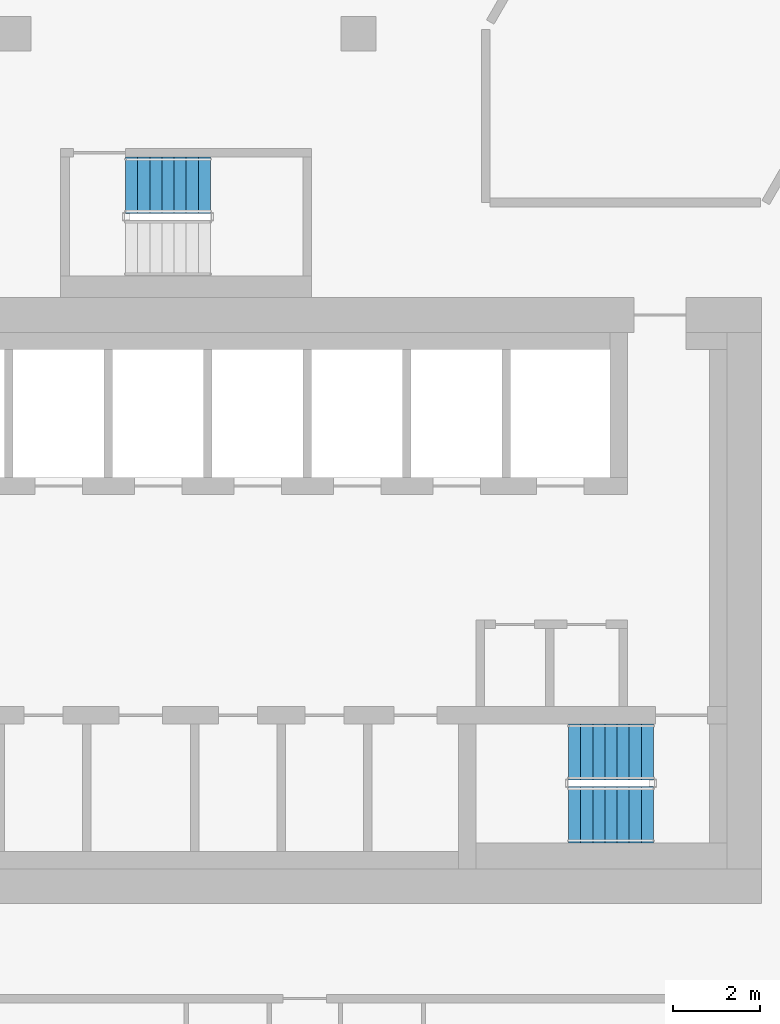
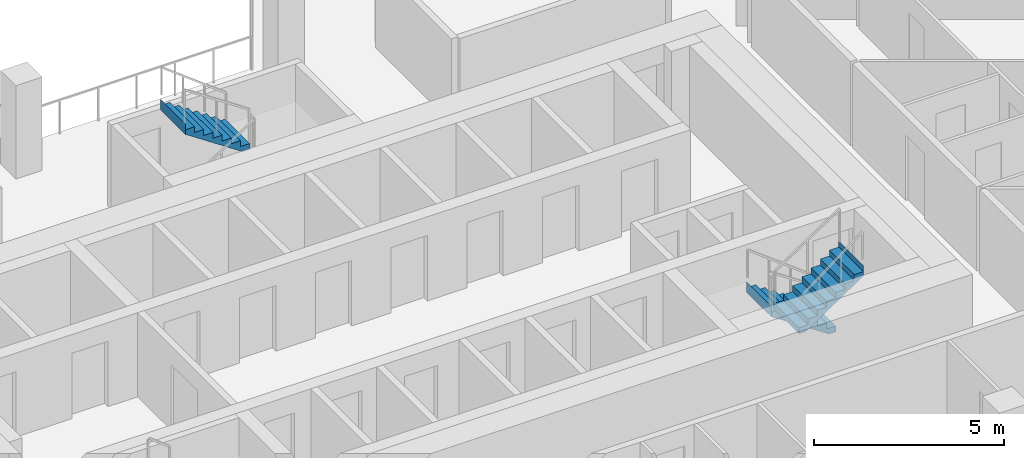
# One storey, part 11 of 15: 3 stair flights, 2 elements without a shape of their own.
"""IFC4 building model written with IfcOpenShell, lengths in metres."""

from ifc_helpers import new_model, si_unit, direction, frame, origin, place, context, subcontext, project, spatial, triangles, material, type_object, element, aggregate, save


model = new_model("IFC4")

# Units and contexts
model_context = context("Model", 3, precision=1e-05, world=origin(), true_north=direction((0.0, 1.0)))
body_context = subcontext(model_context, "Body", "Model", "MODEL_VIEW")
ifc_project = project(units=[si_unit("LENGTHUNIT", "METRE"), si_unit("AREAUNIT", "SQUARE_METRE"), si_unit("VOLUMEUNIT", "CUBIC_METRE"), si_unit("PLANEANGLEUNIT", "RADIAN"), si_unit("MASSUNIT", "GRAM", prefix="KILO")], contexts=[model_context])

# Site, building, storey
site_placement = place(None, origin())
site = spatial("IfcSite", under=ifc_project, at=site_placement, CompositionType="ELEMENT")
building_placement = place(site_placement, origin())
building = spatial("IfcBuilding", under=site, at=building_placement, Name="Beryl Residences", CompositionType="ELEMENT")
storey_placement = place(building_placement, frame((0.0, 0.0, 141.60009765625)))
storey = spatial("IfcBuildingStorey", under=building, at=storey_placement, Name="L43", CompositionType="ELEMENT", Elevation=141.60009765625)

# Stair, stair flights
ifc_material_1 = material(Name="Concrete C40/50", Category="concrete")
stair_type = type_object("IfcStairType", Name="ST1 protected exit stair, half-turn, 1300 mm flights", PredefinedType="HALF_TURN_STAIR", material=ifc_material_1)
stair_1_placement = place(storey_placement, origin())
stair_1 = element("IfcStair", 1, at=stair_1_placement, inside=storey, type_object=stair_type, Name="L43 PROTECTED EXIT STAIR ST-3", PredefinedType="HALF_TURN_STAIR")
ifc_material_2 = material(Name="Concrete C40/50", Category="concrete")
stair_flight_type = type_object("IfcStairFlightType", Name="SF1 stair flight 1300 mm", PredefinedType="STRAIGHT", material=ifc_material_2)
stair_flight_1_placement = place(storey_placement, frame((10.800048828125, -15.5, 0.0), z_axis=(0.0, 0.0, 1.0), x_axis=(-1.0, 0.0, 0.0)))
stair_flight_1 = element("IfcStairFlight", 2, at=stair_flight_1_placement, type_object=stair_flight_type, Name="ST-3 flight 1", NumberOfRisers=8, NumberOfTreads=7, PredefinedType="STRAIGHT", RiserHeight=0.1875, TreadLength=0.28, context=body_context, shape_type="Tessellation", body=[
    triangles([(0.0, -0.64990234375, 0.0), (0.0, -0.324951171875, 0.0), (0.0, 0.0, 0.0), (0.0, 0.324951171875, 0.0), (0.0, 0.64990234375, 0.0), (0.0, -0.64990234375, 0.1875), (0.0, -0.324951171875, 0.1875), (0.0, 0.0, 0.1875), (0.0, 0.324951171875, 0.1875), (0.0, 0.64990234375, 0.1875), (0.280029296875, -0.64990234375, 0.1875), (0.280029296875, -0.324951171875, 0.1875), (0.280029296875, 0.0, 0.1875), (0.280029296875, 0.324951171875, 0.1875), (0.280029296875, 0.64990234375, 0.1875), (0.280029296875, -0.64990234375, 0.375), (0.280029296875, -0.324951171875, 0.375), (0.280029296875, 0.0, 0.375), (0.280029296875, 0.324951171875, 0.375), (0.280029296875, 0.64990234375, 0.375), (0.56005859375, -0.64990234375, 0.375), (0.56005859375, -0.324951171875, 0.375), (0.56005859375, 0.0, 0.375), (0.56005859375, 0.324951171875, 0.375), (0.56005859375, 0.64990234375, 0.375), (0.56005859375, -0.64990234375, 0.5625), (0.56005859375, -0.324951171875, 0.5625), (0.56005859375, 0.0, 0.5625), (0.56005859375, 0.324951171875, 0.5625), (0.56005859375, 0.64990234375, 0.5625), (0.840087890625, -0.64990234375, 0.5625), (0.840087890625, -0.324951171875, 0.5625), (0.840087890625, 0.0, 0.5625), (0.840087890625, 0.324951171875, 0.5625), (0.840087890625, 0.64990234375, 0.5625), (0.840087890625, -0.64990234375, 0.75), (0.840087890625, -0.324951171875, 0.75), (0.840087890625, 0.0, 0.75), (0.840087890625, 0.324951171875, 0.75), (0.840087890625, 0.64990234375, 0.75), (1.1201171875, -0.64990234375, 0.75), (1.1201171875, -0.324951171875, 0.75), (1.1201171875, 0.0, 0.75), (1.1201171875, 0.324951171875, 0.75), (1.1201171875, 0.64990234375, 0.75), (1.1201171875, -0.64990234375, 0.9375), (1.1201171875, -0.324951171875, 0.9375), (1.1201171875, 0.0, 0.9375), (1.1201171875, 0.324951171875, 0.9375), (1.1201171875, 0.64990234375, 0.9375), (1.39990234375, -0.64990234375, 0.9375), (1.39990234375, -0.324951171875, 0.9375), (1.39990234375, 0.0, 0.9375), (1.39990234375, 0.324951171875, 0.9375), (1.39990234375, 0.64990234375, 0.9375), (1.39990234375, -0.64990234375, 1.125), (1.39990234375, -0.324951171875, 1.125), (1.39990234375, 0.0, 1.125), (1.39990234375, 0.324951171875, 1.125), (1.39990234375, 0.64990234375, 1.125), (1.679931640625, -0.64990234375, 1.125), (1.679931640625, -0.324951171875, 1.125), (1.679931640625, 0.0, 1.125), (1.679931640625, 0.324951171875, 1.125), (1.679931640625, 0.64990234375, 1.125), (1.679931640625, -0.64990234375, 1.3125), (1.679931640625, -0.324951171875, 1.3125), (1.679931640625, 0.0, 1.3125), (1.679931640625, 0.324951171875, 1.3125), (1.679931640625, 0.64990234375, 1.3125), (1.9599609375, -0.64990234375, 1.3125), (1.9599609375, -0.324951171875, 1.3125), (1.9599609375, 0.0, 1.3125), (1.9599609375, 0.324951171875, 1.3125), (1.9599609375, 0.64990234375, 1.3125), (1.9599609375, -0.64990234375, 1.5), (1.9599609375, -0.324951171875, 1.5), (1.9599609375, 0.0, 1.5), (1.9599609375, 0.324951171875, 1.5), (1.9599609375, 0.64990234375, 1.5), (1.9609375, -0.64990234375, 1.5), (1.9609375, -0.324951171875, 1.5), (1.9609375, 0.0, 1.5), (1.9609375, 0.324951171875, 1.5), (1.9609375, 0.64990234375, 1.5), (1.9609375, -0.64990234375, 1.16796875), (1.9609375, -0.324951171875, 1.16796875), (1.9609375, 0.0, 1.16796875), (1.9609375, 0.324951171875, 1.16796875), (1.9609375, 0.64990234375, 1.16796875), (0.216796875, -0.64990234375, 0.0), (0.216796875, -0.324951171875, 0.0), (0.216796875, 0.0, 0.0), (0.216796875, 0.324951171875, 0.0), (0.216796875, 0.64990234375, 0.0)], [[1, 6, 7], [1, 7, 2], [2, 7, 8], [2, 8, 3], [3, 8, 9], [3, 9, 4], [4, 9, 10], [4, 10, 5], [6, 11, 12], [6, 12, 7], [7, 12, 13], [7, 13, 8], [8, 13, 14], [8, 14, 9], [9, 14, 15], [9, 15, 10], [11, 16, 17], [11, 17, 12], [12, 17, 18], [12, 18, 13], [13, 18, 19], [13, 19, 14], [14, 19, 20], [14, 20, 15], [16, 21, 22], [16, 22, 17], [17, 22, 23], [17, 23, 18], [18, 23, 24], [18, 24, 19], [19, 24, 25], [19, 25, 20], [21, 26, 27], [21, 27, 22], [22, 27, 28], [22, 28, 23], [23, 28, 29], [23, 29, 24], [24, 29, 30], [24, 30, 25], [26, 31, 32], [26, 32, 27], [27, 32, 33], [27, 33, 28], [28, 33, 34], [28, 34, 29], [29, 34, 35], [29, 35, 30], [31, 36, 37], [31, 37, 32], [32, 37, 38], [32, 38, 33], [33, 38, 39], [33, 39, 34], [34, 39, 40], [34, 40, 35], [36, 41, 42], [36, 42, 37], [37, 42, 43], [37, 43, 38], [38, 43, 44], [38, 44, 39], [39, 44, 45], [39, 45, 40], [41, 46, 47], [41, 47, 42], [42, 47, 48], [42, 48, 43], [43, 48, 49], [43, 49, 44], [44, 49, 50], [44, 50, 45], [46, 51, 52], [46, 52, 47], [47, 52, 53], [47, 53, 48], [48, 53, 54], [48, 54, 49], [49, 54, 55], [49, 55, 50], [51, 56, 57], [51, 57, 52], [52, 57, 58], [52, 58, 53], [53, 58, 59], [53, 59, 54], [54, 59, 60], [54, 60, 55], [56, 61, 62], [56, 62, 57], [57, 62, 63], [57, 63, 58], [58, 63, 64], [58, 64, 59], [59, 64, 65], [59, 65, 60], [61, 66, 67], [61, 67, 62], [62, 67, 68], [62, 68, 63], [63, 68, 69], [63, 69, 64], [64, 69, 70], [64, 70, 65], [66, 71, 72], [66, 72, 67], [67, 72, 73], [67, 73, 68], [68, 73, 74], [68, 74, 69], [69, 74, 75], [69, 75, 70], [71, 76, 77], [71, 77, 72], [72, 77, 78], [72, 78, 73], [73, 78, 79], [73, 79, 74], [74, 79, 80], [74, 80, 75], [76, 81, 82], [76, 82, 77], [77, 82, 83], [77, 83, 78], [78, 83, 84], [78, 84, 79], [79, 84, 85], [79, 85, 80], [81, 86, 87], [81, 87, 82], [82, 87, 88], [82, 88, 83], [83, 88, 89], [83, 89, 84], [84, 89, 90], [84, 90, 85], [86, 91, 92], [86, 92, 87], [87, 92, 93], [87, 93, 88], [88, 93, 94], [88, 94, 89], [89, 94, 95], [89, 95, 90], [91, 1, 2], [91, 2, 92], [92, 2, 3], [92, 3, 93], [93, 3, 4], [93, 4, 94], [94, 4, 5], [94, 5, 95], [1, 91, 86], [5, 90, 95], [86, 81, 76], [90, 80, 85], [86, 76, 71], [90, 75, 80], [86, 71, 66], [90, 70, 75], [86, 66, 61], [90, 65, 70], [61, 56, 51], [65, 55, 60], [86, 61, 51], [90, 55, 65], [51, 46, 41], [55, 45, 50], [86, 51, 41], [90, 45, 55], [41, 36, 31], [45, 35, 40], [86, 41, 31], [90, 35, 45], [31, 26, 21], [35, 25, 30], [86, 31, 21], [90, 25, 35], [21, 16, 11], [25, 15, 20], [86, 21, 11], [90, 15, 25], [1, 86, 11], [5, 15, 90], [11, 6, 1], [15, 5, 10]], closed=True),
])
stair_flight_2_placement = place(storey_placement, frame((8.840087890625, -16.949951171875, 1.5), z_axis=(0.0, 0.0, 1.0), x_axis=(1.0, 0.0, 0.0)))
stair_flight_2 = element("IfcStairFlight", 3, at=stair_flight_2_placement, type_object=stair_flight_type, Name="ST-3 flight 2", NumberOfRisers=8, NumberOfTreads=7, PredefinedType="STRAIGHT", RiserHeight=0.1875, TreadLength=0.28, context=body_context, shape_type="Tessellation", body=[
    triangles([(0.0, -0.64990234375, 0.0), (0.0, -0.324951171875, 0.0), (0.0, 0.0, 0.0), (0.0, 0.324951171875, 0.0), (0.0, 0.64990234375, 0.0), (0.0, -0.64990234375, 0.1875), (0.0, -0.324951171875, 0.1875), (0.0, 0.0, 0.1875), (0.0, 0.324951171875, 0.1875), (0.0, 0.64990234375, 0.1875), (0.280029296875, -0.64990234375, 0.1875), (0.280029296875, -0.324951171875, 0.1875), (0.280029296875, 0.0, 0.1875), (0.280029296875, 0.324951171875, 0.1875), (0.280029296875, 0.64990234375, 0.1875), (0.280029296875, -0.64990234375, 0.375), (0.280029296875, -0.324951171875, 0.375), (0.280029296875, 0.0, 0.375), (0.280029296875, 0.324951171875, 0.375), (0.280029296875, 0.64990234375, 0.375), (0.56005859375, -0.64990234375, 0.375), (0.56005859375, -0.324951171875, 0.375), (0.56005859375, 0.0, 0.375), (0.56005859375, 0.324951171875, 0.375), (0.56005859375, 0.64990234375, 0.375), (0.56005859375, -0.64990234375, 0.5625), (0.56005859375, -0.324951171875, 0.5625), (0.56005859375, 0.0, 0.5625), (0.56005859375, 0.324951171875, 0.5625), (0.56005859375, 0.64990234375, 0.5625), (0.840087890625, -0.64990234375, 0.5625), (0.840087890625, -0.324951171875, 0.5625), (0.840087890625, 0.0, 0.5625), (0.840087890625, 0.324951171875, 0.5625), (0.840087890625, 0.64990234375, 0.5625), (0.840087890625, -0.64990234375, 0.75), (0.840087890625, -0.324951171875, 0.75), (0.840087890625, 0.0, 0.75), (0.840087890625, 0.324951171875, 0.75), (0.840087890625, 0.64990234375, 0.75), (1.1201171875, -0.64990234375, 0.75), (1.1201171875, -0.324951171875, 0.75), (1.1201171875, 0.0, 0.75), (1.1201171875, 0.324951171875, 0.75), (1.1201171875, 0.64990234375, 0.75), (1.1201171875, -0.64990234375, 0.9375), (1.1201171875, -0.324951171875, 0.9375), (1.1201171875, 0.0, 0.9375), (1.1201171875, 0.324951171875, 0.9375), (1.1201171875, 0.64990234375, 0.9375), (1.39990234375, -0.64990234375, 0.9375), (1.39990234375, -0.324951171875, 0.9375), (1.39990234375, 0.0, 0.9375), (1.39990234375, 0.324951171875, 0.9375), (1.39990234375, 0.64990234375, 0.9375), (1.39990234375, -0.64990234375, 1.125), (1.39990234375, -0.324951171875, 1.125), (1.39990234375, 0.0, 1.125), (1.39990234375, 0.324951171875, 1.125), (1.39990234375, 0.64990234375, 1.125), (1.679931640625, -0.64990234375, 1.125), (1.679931640625, -0.324951171875, 1.125), (1.679931640625, 0.0, 1.125), (1.679931640625, 0.324951171875, 1.125), (1.679931640625, 0.64990234375, 1.125), (1.679931640625, -0.64990234375, 1.3125), (1.679931640625, -0.324951171875, 1.3125), (1.679931640625, 0.0, 1.3125), (1.679931640625, 0.324951171875, 1.3125), (1.679931640625, 0.64990234375, 1.3125), (1.9599609375, -0.64990234375, 1.3125), (1.9599609375, -0.324951171875, 1.3125), (1.9599609375, 0.0, 1.3125), (1.9599609375, 0.324951171875, 1.3125), (1.9599609375, 0.64990234375, 1.3125), (1.9599609375, -0.64990234375, 1.5), (1.9599609375, -0.324951171875, 1.5), (1.9599609375, 0.0, 1.5), (1.9599609375, 0.324951171875, 1.5), (1.9599609375, 0.64990234375, 1.5), (1.9609375, -0.64990234375, 1.5), (1.9609375, -0.324951171875, 1.5), (1.9609375, 0.0, 1.5), (1.9609375, 0.324951171875, 1.5), (1.9609375, 0.64990234375, 1.5), (1.9609375, -0.64990234375, 1.16796875), (1.9609375, -0.324951171875, 1.16796875), (1.9609375, 0.0, 1.16796875), (1.9609375, 0.324951171875, 1.16796875), (1.9609375, 0.64990234375, 1.16796875), (0.216796875, -0.64990234375, 0.0), (0.216796875, -0.324951171875, 0.0), (0.216796875, 0.0, 0.0), (0.216796875, 0.324951171875, 0.0), (0.216796875, 0.64990234375, 0.0)], [[1, 6, 7], [1, 7, 2], [2, 7, 8], [2, 8, 3], [3, 8, 9], [3, 9, 4], [4, 9, 10], [4, 10, 5], [6, 11, 12], [6, 12, 7], [7, 12, 13], [7, 13, 8], [8, 13, 14], [8, 14, 9], [9, 14, 15], [9, 15, 10], [11, 16, 17], [11, 17, 12], [12, 17, 18], [12, 18, 13], [13, 18, 19], [13, 19, 14], [14, 19, 20], [14, 20, 15], [16, 21, 22], [16, 22, 17], [17, 22, 23], [17, 23, 18], [18, 23, 24], [18, 24, 19], [19, 24, 25], [19, 25, 20], [21, 26, 27], [21, 27, 22], [22, 27, 28], [22, 28, 23], [23, 28, 29], [23, 29, 24], [24, 29, 30], [24, 30, 25], [26, 31, 32], [26, 32, 27], [27, 32, 33], [27, 33, 28], [28, 33, 34], [28, 34, 29], [29, 34, 35], [29, 35, 30], [31, 36, 37], [31, 37, 32], [32, 37, 38], [32, 38, 33], [33, 38, 39], [33, 39, 34], [34, 39, 40], [34, 40, 35], [36, 41, 42], [36, 42, 37], [37, 42, 43], [37, 43, 38], [38, 43, 44], [38, 44, 39], [39, 44, 45], [39, 45, 40], [41, 46, 47], [41, 47, 42], [42, 47, 48], [42, 48, 43], [43, 48, 49], [43, 49, 44], [44, 49, 50], [44, 50, 45], [46, 51, 52], [46, 52, 47], [47, 52, 53], [47, 53, 48], [48, 53, 54], [48, 54, 49], [49, 54, 55], [49, 55, 50], [51, 56, 57], [51, 57, 52], [52, 57, 58], [52, 58, 53], [53, 58, 59], [53, 59, 54], [54, 59, 60], [54, 60, 55], [56, 61, 62], [56, 62, 57], [57, 62, 63], [57, 63, 58], [58, 63, 64], [58, 64, 59], [59, 64, 65], [59, 65, 60], [61, 66, 67], [61, 67, 62], [62, 67, 68], [62, 68, 63], [63, 68, 69], [63, 69, 64], [64, 69, 70], [64, 70, 65], [66, 71, 72], [66, 72, 67], [67, 72, 73], [67, 73, 68], [68, 73, 74], [68, 74, 69], [69, 74, 75], [69, 75, 70], [71, 76, 77], [71, 77, 72], [72, 77, 78], [72, 78, 73], [73, 78, 79], [73, 79, 74], [74, 79, 80], [74, 80, 75], [76, 81, 82], [76, 82, 77], [77, 82, 83], [77, 83, 78], [78, 83, 84], [78, 84, 79], [79, 84, 85], [79, 85, 80], [81, 86, 87], [81, 87, 82], [82, 87, 88], [82, 88, 83], [83, 88, 89], [83, 89, 84], [84, 89, 90], [84, 90, 85], [86, 91, 92], [86, 92, 87], [87, 92, 93], [87, 93, 88], [88, 93, 94], [88, 94, 89], [89, 94, 95], [89, 95, 90], [91, 1, 2], [91, 2, 92], [92, 2, 3], [92, 3, 93], [93, 3, 4], [93, 4, 94], [94, 4, 5], [94, 5, 95], [1, 91, 86], [5, 90, 95], [86, 81, 76], [90, 80, 85], [86, 76, 71], [90, 75, 80], [86, 71, 66], [90, 70, 75], [86, 66, 61], [90, 65, 70], [61, 56, 51], [65, 55, 60], [86, 61, 51], [90, 55, 65], [51, 46, 41], [55, 45, 50], [86, 51, 41], [90, 45, 55], [41, 36, 31], [45, 35, 40], [86, 41, 31], [90, 35, 45], [31, 26, 21], [35, 25, 30], [86, 31, 21], [90, 25, 35], [21, 16, 11], [25, 15, 20], [86, 21, 11], [90, 15, 25], [1, 86, 11], [5, 15, 90], [11, 6, 1], [15, 5, 10]], closed=True),
])
aggregate(stair_1, [stair_flight_1, stair_flight_2])

# Stair, stair flight
stair_2_placement = place(storey_placement, origin())
stair_2 = element("IfcStair", 4, at=stair_2_placement, inside=storey, type_object=stair_type, Name="L43 PROTECTED EXIT STAIR ST-4", PredefinedType="HALF_TURN_STAIR")
stair_flight_3_placement = place(storey_placement, frame((0.56005859375, -2.39990234375, 1.5), z_axis=(0.0, 0.0, 1.0), x_axis=(-1.0, 0.0, 0.0)))
stair_flight_3 = element("IfcStairFlight", 5, at=stair_flight_3_placement, type_object=stair_flight_type, Name="ST-4 flight 2", NumberOfRisers=8, NumberOfTreads=7, PredefinedType="STRAIGHT", RiserHeight=0.1875, TreadLength=0.28, context=body_context, shape_type="Tessellation", body=[
    triangles([(0.0, -0.64990234375, 0.0), (0.0, -0.324951171875, 0.0), (0.0, 0.0, 0.0), (0.0, 0.324951171875, 0.0), (0.0, 0.64990234375, 0.0), (0.0, -0.64990234375, 0.1875), (0.0, -0.324951171875, 0.1875), (0.0, 0.0, 0.1875), (0.0, 0.324951171875, 0.1875), (0.0, 0.64990234375, 0.1875), (0.280029296875, -0.64990234375, 0.1875), (0.280029296875, -0.324951171875, 0.1875), (0.280029296875, 0.0, 0.1875), (0.280029296875, 0.324951171875, 0.1875), (0.280029296875, 0.64990234375, 0.1875), (0.280029296875, -0.64990234375, 0.375), (0.280029296875, -0.324951171875, 0.375), (0.280029296875, 0.0, 0.375), (0.280029296875, 0.324951171875, 0.375), (0.280029296875, 0.64990234375, 0.375), (0.56005859375, -0.64990234375, 0.375), (0.56005859375, -0.324951171875, 0.375), (0.56005859375, 0.0, 0.375), (0.56005859375, 0.324951171875, 0.375), (0.56005859375, 0.64990234375, 0.375), (0.56005859375, -0.64990234375, 0.5625), (0.56005859375, -0.324951171875, 0.5625), (0.56005859375, 0.0, 0.5625), (0.56005859375, 0.324951171875, 0.5625), (0.56005859375, 0.64990234375, 0.5625), (0.840087890625, -0.64990234375, 0.5625), (0.840087890625, -0.324951171875, 0.5625), (0.840087890625, 0.0, 0.5625), (0.840087890625, 0.324951171875, 0.5625), (0.840087890625, 0.64990234375, 0.5625), (0.840087890625, -0.64990234375, 0.75), (0.840087890625, -0.324951171875, 0.75), (0.840087890625, 0.0, 0.75), (0.840087890625, 0.324951171875, 0.75), (0.840087890625, 0.64990234375, 0.75), (1.1201171875, -0.64990234375, 0.75), (1.1201171875, -0.324951171875, 0.75), (1.1201171875, 0.0, 0.75), (1.1201171875, 0.324951171875, 0.75), (1.1201171875, 0.64990234375, 0.75), (1.1201171875, -0.64990234375, 0.9375), (1.1201171875, -0.324951171875, 0.9375), (1.1201171875, 0.0, 0.9375), (1.1201171875, 0.324951171875, 0.9375), (1.1201171875, 0.64990234375, 0.9375), (1.39990234375, -0.64990234375, 0.9375), (1.39990234375, -0.324951171875, 0.9375), (1.39990234375, 0.0, 0.9375), (1.39990234375, 0.324951171875, 0.9375), (1.39990234375, 0.64990234375, 0.9375), (1.39990234375, -0.64990234375, 1.125), (1.39990234375, -0.324951171875, 1.125), (1.39990234375, 0.0, 1.125), (1.39990234375, 0.324951171875, 1.125), (1.39990234375, 0.64990234375, 1.125), (1.679931640625, -0.64990234375, 1.125), (1.679931640625, -0.324951171875, 1.125), (1.679931640625, 0.0, 1.125), (1.679931640625, 0.324951171875, 1.125), (1.679931640625, 0.64990234375, 1.125), (1.679931640625, -0.64990234375, 1.3125), (1.679931640625, -0.324951171875, 1.3125), (1.679931640625, 0.0, 1.3125), (1.679931640625, 0.324951171875, 1.3125), (1.679931640625, 0.64990234375, 1.3125), (1.9599609375, -0.64990234375, 1.3125), (1.9599609375, -0.324951171875, 1.3125), (1.9599609375, 0.0, 1.3125), (1.9599609375, 0.324951171875, 1.3125), (1.9599609375, 0.64990234375, 1.3125), (1.9599609375, -0.64990234375, 1.5), (1.9599609375, -0.324951171875, 1.5), (1.9599609375, 0.0, 1.5), (1.9599609375, 0.324951171875, 1.5), (1.9599609375, 0.64990234375, 1.5), (1.9609375, -0.64990234375, 1.5), (1.9609375, -0.324951171875, 1.5), (1.9609375, 0.0, 1.5), (1.9609375, 0.324951171875, 1.5), (1.9609375, 0.64990234375, 1.5), (1.9609375, -0.64990234375, 1.16796875), (1.9609375, -0.324951171875, 1.16796875), (1.9609375, 0.0, 1.16796875), (1.9609375, 0.324951171875, 1.16796875), (1.9609375, 0.64990234375, 1.16796875), (0.216796875, -0.64990234375, 0.0), (0.216796875, -0.324951171875, 0.0), (0.216796875, 0.0, 0.0), (0.216796875, 0.324951171875, 0.0), (0.216796875, 0.64990234375, 0.0)], [[1, 6, 7], [1, 7, 2], [2, 7, 8], [2, 8, 3], [3, 8, 9], [3, 9, 4], [4, 9, 10], [4, 10, 5], [6, 11, 12], [6, 12, 7], [7, 12, 13], [7, 13, 8], [8, 13, 14], [8, 14, 9], [9, 14, 15], [9, 15, 10], [11, 16, 17], [11, 17, 12], [12, 17, 18], [12, 18, 13], [13, 18, 19], [13, 19, 14], [14, 19, 20], [14, 20, 15], [16, 21, 22], [16, 22, 17], [17, 22, 23], [17, 23, 18], [18, 23, 24], [18, 24, 19], [19, 24, 25], [19, 25, 20], [21, 26, 27], [21, 27, 22], [22, 27, 28], [22, 28, 23], [23, 28, 29], [23, 29, 24], [24, 29, 30], [24, 30, 25], [26, 31, 32], [26, 32, 27], [27, 32, 33], [27, 33, 28], [28, 33, 34], [28, 34, 29], [29, 34, 35], [29, 35, 30], [31, 36, 37], [31, 37, 32], [32, 37, 38], [32, 38, 33], [33, 38, 39], [33, 39, 34], [34, 39, 40], [34, 40, 35], [36, 41, 42], [36, 42, 37], [37, 42, 43], [37, 43, 38], [38, 43, 44], [38, 44, 39], [39, 44, 45], [39, 45, 40], [41, 46, 47], [41, 47, 42], [42, 47, 48], [42, 48, 43], [43, 48, 49], [43, 49, 44], [44, 49, 50], [44, 50, 45], [46, 51, 52], [46, 52, 47], [47, 52, 53], [47, 53, 48], [48, 53, 54], [48, 54, 49], [49, 54, 55], [49, 55, 50], [51, 56, 57], [51, 57, 52], [52, 57, 58], [52, 58, 53], [53, 58, 59], [53, 59, 54], [54, 59, 60], [54, 60, 55], [56, 61, 62], [56, 62, 57], [57, 62, 63], [57, 63, 58], [58, 63, 64], [58, 64, 59], [59, 64, 65], [59, 65, 60], [61, 66, 67], [61, 67, 62], [62, 67, 68], [62, 68, 63], [63, 68, 69], [63, 69, 64], [64, 69, 70], [64, 70, 65], [66, 71, 72], [66, 72, 67], [67, 72, 73], [67, 73, 68], [68, 73, 74], [68, 74, 69], [69, 74, 75], [69, 75, 70], [71, 76, 77], [71, 77, 72], [72, 77, 78], [72, 78, 73], [73, 78, 79], [73, 79, 74], [74, 79, 80], [74, 80, 75], [76, 81, 82], [76, 82, 77], [77, 82, 83], [77, 83, 78], [78, 83, 84], [78, 84, 79], [79, 84, 85], [79, 85, 80], [81, 86, 87], [81, 87, 82], [82, 87, 88], [82, 88, 83], [83, 88, 89], [83, 89, 84], [84, 89, 90], [84, 90, 85], [86, 91, 92], [86, 92, 87], [87, 92, 93], [87, 93, 88], [88, 93, 94], [88, 94, 89], [89, 94, 95], [89, 95, 90], [91, 1, 2], [91, 2, 92], [92, 2, 3], [92, 3, 93], [93, 3, 4], [93, 4, 94], [94, 4, 5], [94, 5, 95], [1, 91, 86], [5, 90, 95], [86, 81, 76], [90, 80, 85], [86, 76, 71], [90, 75, 80], [86, 71, 66], [90, 70, 75], [86, 66, 61], [90, 65, 70], [61, 56, 51], [65, 55, 60], [86, 61, 51], [90, 55, 65], [51, 46, 41], [55, 45, 50], [86, 51, 41], [90, 45, 55], [41, 36, 31], [45, 35, 40], [86, 41, 31], [90, 35, 45], [31, 26, 21], [35, 25, 30], [86, 31, 21], [90, 25, 35], [21, 16, 11], [25, 15, 20], [86, 21, 11], [90, 15, 25], [1, 86, 11], [5, 15, 90], [11, 6, 1], [15, 5, 10]], closed=True),
])
aggregate(stair_2, [stair_flight_3])

save(model, "model.ifc")
